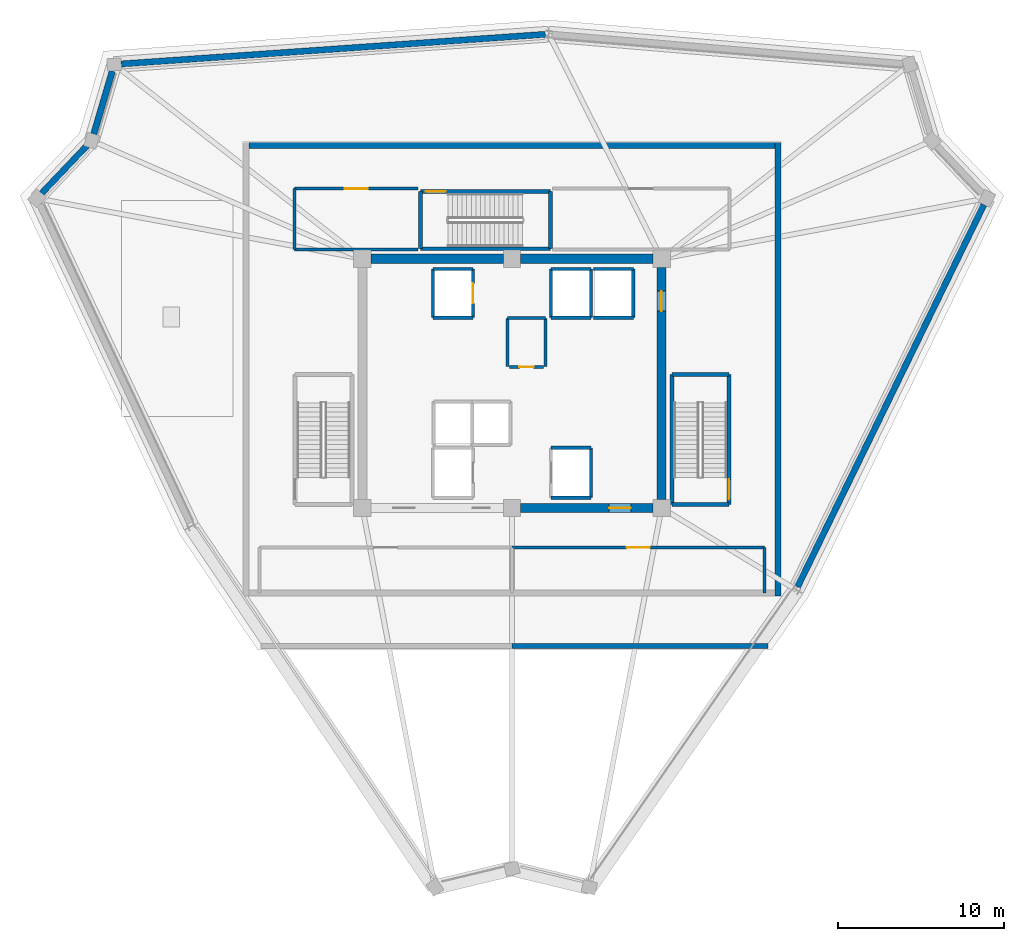
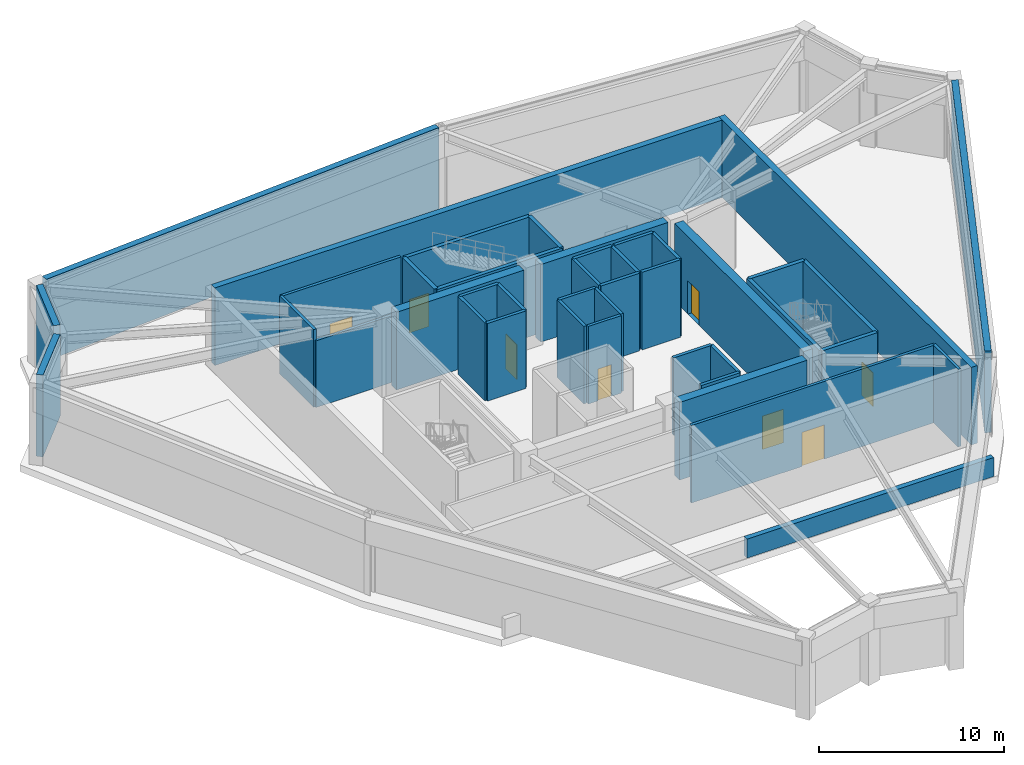
# One storey, part 5 of 8: 42 walls, 8 doors, 8 openings.
"""IFC4 building model written with IfcOpenShell, lengths in metres."""

from ifc_helpers import new_model, si_unit, direction, frame, frame_2d, origin, place, context, subcontext, project, spatial, rectangle, extrude, source, transform, mapped, material, layer, layer_set, type_object, element, fill, save


model = new_model("IFC4")

# Units and contexts
model_context = context("Model", 3, precision=1e-05, world=origin(), true_north=direction((0.0, 1.0)))
body_context = subcontext(model_context, "Body", "Model", "MODEL_VIEW")
ifc_project = project(units=[si_unit("LENGTHUNIT", "METRE"), si_unit("AREAUNIT", "SQUARE_METRE"), si_unit("VOLUMEUNIT", "CUBIC_METRE"), si_unit("PLANEANGLEUNIT", "RADIAN"), si_unit("MASSUNIT", "GRAM", prefix="KILO")], contexts=[model_context])

# Site, building, storey
site_placement = place(None, origin())
site = spatial("IfcSite", under=ifc_project, at=site_placement, CompositionType="ELEMENT")
building_placement = place(site_placement, origin())
building = spatial("IfcBuilding", under=site, at=building_placement, Name="Liaohun Quay Tower", CompositionType="ELEMENT")
storey_placement = place(building_placement, frame((0.0, 0.0, 360.60009765625)))
storey = spatial("IfcBuildingStorey", under=building, at=storey_placement, Name="L93", CompositionType="ELEMENT", Elevation=360.60009765625)

# Walls
ifc_material_1 = material(Name="Concrete C50", Category="concrete")
ifc_layer_1 = layer(ifc_material_1, 0.550048828125, Name="Concrete C50", Category="concrete")
ifc_layer_set_1 = layer_set([ifc_layer_1], Name="Concrete C50")
wall_type_1 = type_object("IfcWallType", Name="WAL-COR-Z4", PredefinedType="SHEAR", material=ifc_layer_set_1)
for number, where, z_axis, x_axis, name in (
    (1, (51.52490234375, 61.5, 0.0), (0.0, 0.0, 1.0), (1.0, 0.0, 0.0), "L93 Central Core Shear Wall N-W"),
    (2, (60.52490234375, 61.5, 0.0), (0.0, 0.0, 1.0), (1.0, 0.0, 0.0), "L93 Central Core Shear Wall N-E"),
):
    element("IfcWall", number, at=place(storey_placement, frame(where, z_axis=z_axis, x_axis=x_axis)), inside=storey, type_object=wall_type_1, Name=name, PredefinedType="SHEAR", context=body_context, shape_type="SweptSolid", body=[
        extrude(rectangle(XDim=7.9501953125, YDim=0.550048828125, at=frame_2d((3.97509765625, 0.0))), origin(), (0.0, 0.0, 1.0), 5.119873046875),
    ])

# Wall, opening, door
wall_1_placement = place(storey_placement, frame((69.0, 60.97509765625, 0.0), z_axis=(0.0, 0.0, 1.0), x_axis=(0.0, -1.0, 0.0)))
wall_1 = element("IfcWall", 3, at=wall_1_placement, inside=storey, type_object=wall_type_1, Name="L93 Central Core Shear Wall E", PredefinedType="SHEAR", context=body_context, shape_type="SweptSolid", body=[
    extrude(rectangle(XDim=13.9501953125, YDim=0.550048828125, at=frame_2d((6.97509765625, 0.0))), origin(), (0.0, 0.0, 1.0), 5.119873046875),
])
shared_shape_1 = source(origin(), body_context, "Body", "SweptSolid", [
    extrude(rectangle(XDim=1.199951171875, YDim=2.199951171875, at=frame_2d((0.60009765625, 1.10009765625))), frame((0.0, 0.284912109375, 0.0), z_axis=(0.0, -1.0, 0.0), x_axis=(1.0, 0.0, 0.0)), (0.0, 0.0, 1.0), 0.570068359375),
])
opening_1_placement = place(wall_1_placement, frame((1.425048828125, 0.0, 0.0)))
opening_1 = element("IfcOpeningElement", 4, at=opening_1_placement, cuts=wall_1, Name="Opening SD1", PredefinedType="OPENING", context=body_context, shape_type="MappedRepresentation", body=[
    mapped(shared_shape_1, transform((0.0, 0.0, 0.0), x_axis=(1.0, 0.0, 0.0), y_axis=(0.0, 1.0, 0.0), z_axis=(0.0, 0.0, 1.0), scale=1.0)),
])
ifc_material_2 = material(Name="Galvanised steel fire door", Category="steel")
door_type_1 = type_object("IfcDoorType", Name="DOR-STR-1200", OperationType="NOTDEFINED", PredefinedType="DOOR", material=ifc_material_2)
shared_shape_2 = source(origin(), body_context, "Body", "SweptSolid", [
    extrude(rectangle(XDim=1.199951171875, YDim=2.199951171875, at=frame_2d((0.60009765625, 1.10009765625))), frame((0.0, 0.02490234375, 0.0), z_axis=(0.0, -1.0, 0.0), x_axis=(1.0, 0.0, 0.0)), (0.0, 0.0, 1.0), 0.050048828125),
])
door_1_placement = place(opening_1_placement, origin())
door_1 = element("IfcDoor", 5, at=door_1_placement, inside=storey, type_object=door_type_1, Name="L93 North-East Core Lobby Smokeproof Door", OperationType="SINGLE_SWING_LEFT", OverallHeight=2.199951171875, OverallWidth=1.199951171875, PredefinedType="DOOR", context=body_context, shape_type="MappedRepresentation", body=[
    mapped(shared_shape_2, transform((0.0, 0.0, 0.0), x_axis=(1.0, 0.0, 0.0), y_axis=(0.0, 1.0, 0.0), z_axis=(0.0, 0.0, 1.0), scale=1.0)),
])
fill(opening_1, door_1)

wall_2_placement = place(storey_placement, frame((68.47509765625, 46.5, 0.0), z_axis=(0.0, 0.0, 1.0), x_axis=(-1.0, 0.0, 0.0)))
wall_2 = element("IfcWall", 6, at=wall_2_placement, inside=storey, type_object=wall_type_1, Name="L93 Central Core Shear Wall S-E", PredefinedType="SHEAR", context=body_context, shape_type="SweptSolid", body=[
    extrude(rectangle(XDim=7.9501953125, YDim=0.550048828125, at=frame_2d((3.97509765625, 0.0))), origin(), (0.0, 0.0, 1.0), 5.119873046875),
])
shared_shape_3 = source(origin(), body_context, "Body", "SweptSolid", [
    extrude(rectangle(XDim=1.300048828125, YDim=2.199951171875, at=frame_2d((0.64990234375, 1.10009765625))), frame((0.0, 0.284912109375, 0.0), z_axis=(0.0, -1.0, 0.0), x_axis=(1.0, 0.0, 0.0)), (0.0, 0.0, 1.0), 0.570068359375),
])
opening_2_placement = place(wall_2_placement, frame((1.324951171875, 0.0, 0.0)))
opening_2 = element("IfcOpeningElement", 7, at=opening_2_placement, cuts=wall_2, Name="Opening FD1", PredefinedType="OPENING", context=body_context, shape_type="MappedRepresentation", body=[
    mapped(shared_shape_3, transform((0.0, 0.0, 0.0), x_axis=(1.0, 0.0, 0.0), y_axis=(0.0, 1.0, 0.0), z_axis=(0.0, 0.0, 1.0), scale=1.0)),
])
ifc_material_3 = material(Name="Galvanised steel smokeproof fire door", Category="steel")
door_type_2 = type_object("IfcDoorType", Name="DOR-FFL-1300", OperationType="NOTDEFINED", PredefinedType="DOOR", material=ifc_material_3)
shared_shape_4 = source(origin(), body_context, "Body", "SweptSolid", [
    extrude(rectangle(XDim=1.300048828125, YDim=2.199951171875, at=frame_2d((0.64990234375, 1.10009765625))), frame((0.0, 0.02490234375, 0.0), z_axis=(0.0, -1.0, 0.0), x_axis=(1.0, 0.0, 0.0)), (0.0, 0.0, 1.0), 0.050048828125),
])
door_2_placement = place(opening_2_placement, origin())
door_2 = element("IfcDoor", 8, at=door_2_placement, inside=storey, type_object=door_type_2, Name="L93 East Core Lift Lobby Smokeproof Door", OperationType="SINGLE_SWING_LEFT", OverallHeight=2.199951171875, OverallWidth=1.300048828125, PredefinedType="DOOR", context=body_context, shape_type="MappedRepresentation", body=[
    mapped(shared_shape_4, transform((0.0, 0.0, 0.0), x_axis=(1.0, 0.0, 0.0), y_axis=(0.0, 1.0, 0.0), z_axis=(0.0, 0.0, 1.0), scale=1.0)),
])
fill(opening_2, door_2)

# Walls
ifc_material_4 = material(Name="Precast concrete C50 insulated sandwich", Category="concrete")
ifc_layer_2 = layer(ifc_material_4, 0.3798828125, Name="Precast concrete C50 insulated sandwich", Category="concrete")
ifc_layer_set_2 = layer_set([ifc_layer_2], Name="Precast concrete C50 insulated sandwich")
wall_type_2 = type_object("IfcWallType", Name="WAL-EXT-Z34", PredefinedType="SOLIDWALL", material=ifc_layer_set_2)
wall_3_placement = place(storey_placement, frame((77.18408203125, 41.764892578125, 0.0), z_axis=(0.0, 0.0, 1.0), x_axis=(0.438352950957, 0.898802920772, 0.0)))
element("IfcWall", 9, at=wall_3_placement, inside=storey, type_object=wall_type_2, Name="L93 Crown Precast Enclosure Wall 03", PredefinedType="SOLIDWALL", context=body_context, shape_type="SweptSolid", body=[
    extrude(rectangle(XDim=25.588623046875, YDim=0.3798828125, at=frame_2d((12.79443359375, 0.0))), origin(), (0.0, 0.0, 1.0), 5.39990234375),
])
wall_4_placement = place(storey_placement, frame((62.0029296875, 74.9990234375, 0.0), z_axis=(0.0, 0.0, 1.0), x_axis=(-0.997564135174, -0.069755259409, 0.0)))
element("IfcWall", 10, at=wall_4_placement, inside=storey, type_object=wall_type_2, Name="L93 Crown Precast Enclosure Wall 07", PredefinedType="SOLIDWALL", context=body_context, shape_type="SweptSolid", body=[
    extrude(rectangle(XDim=25.588134765625, YDim=0.3798828125, at=frame_2d((12.7939453125, 0.0))), origin(), (0.0, 0.0, 1.0), 5.39990234375),
])
wall_5_placement = place(storey_placement, frame((35.946044921875, 72.787109375, 0.0), z_axis=(0.0, 0.0, 1.0), x_axis=(-0.282751831767, -0.959193099241, 0.0)))
element("IfcWall", 11, at=wall_5_placement, inside=storey, type_object=wall_type_2, Name="L93 Crown Precast Enclosure Wall 08", PredefinedType="SOLIDWALL", context=body_context, shape_type="SweptSolid", body=[
    extrude(rectangle(XDim=3.9501953125, YDim=0.3798828125, at=frame_2d((1.97509765625, 0.0))), origin(), (0.0, 0.0, 1.0), 5.39990234375),
])
wall_6_placement = place(storey_placement, frame((34.426025390625, 68.299072265625, 0.0), z_axis=(0.0, 0.0, 1.0), x_axis=(-0.689436444491, -0.724346180364, 0.0)))
element("IfcWall", 12, at=wall_6_placement, inside=storey, type_object=wall_type_2, Name="L93 Crown Precast Enclosure Wall 09", PredefinedType="SOLIDWALL", context=body_context, shape_type="SweptSolid", body=[
    extrude(rectangle(XDim=3.958251953125, YDim=0.3798828125, at=frame_2d((1.97900390625, 0.0))), origin(), (0.0, 0.0, 1.0), 5.39990234375),
])
wall_7_placement = place(storey_placement, frame((44.179931640625, 68.31005859375, 0.0), z_axis=(0.0, 0.0, 1.0), x_axis=(1.0, 0.0, 0.0)))
element("IfcWall", 13, at=wall_7_placement, inside=storey, type_object=wall_type_2, Name="L93 Crown Mechanical House Wall N", PredefinedType="SOLIDWALL", context=body_context, shape_type="SweptSolid", body=[
    extrude(rectangle(XDim=31.64013671875, YDim=0.3798828125, at=frame_2d((15.820068359375, 0.0))), origin(), (0.0, 0.0, 1.0), 5.119873046875),
])
wall_8_placement = place(storey_placement, frame((76.010009765625, 68.5, 0.0), z_axis=(0.0, 0.0, 1.0), x_axis=(0.0, -1.0, 0.0)))
element("IfcWall", 14, at=wall_8_placement, inside=storey, type_object=wall_type_2, Name="L93 Crown Mechanical House Wall E", PredefinedType="SOLIDWALL", context=body_context, shape_type="SweptSolid", body=[
    extrude(rectangle(XDim=27.300048828125, YDim=0.3798828125, at=frame_2d((13.64990234375, 0.0))), origin(), (0.0, 0.0, 1.0), 5.119873046875),
])
ifc_material_5 = material(Name="Precast concrete C50", Category="concrete")
ifc_layer_3 = layer(ifc_material_5, 0.320068359375, Name="Precast concrete C50", Category="concrete")
ifc_layer_set_3 = layer_set([ifc_layer_3], Name="Precast concrete C50")
wall_type_3 = type_object("IfcWallType", Name="WAL-PAR-320", PredefinedType="PARAPET", material=ifc_layer_set_3)
wall_9_placement = place(storey_placement, frame((60.0, 38.199951171875, 0.0), z_axis=(0.0, 0.0, 1.0), x_axis=(1.0, 0.0, 0.0)))
element("IfcWall", 15, at=wall_9_placement, inside=storey, type_object=wall_type_3, Name="L93 Maintenance Roof Parapet Wall PW-1-02", PredefinedType="PARAPET", context=body_context, shape_type="SweptSolid", body=[
    extrude(rectangle(XDim=15.39990234375, YDim=0.320068359375, at=frame_2d((7.699951171875, 0.0))), origin(), (0.0, 0.0, 1.0), 1.25),
])

# Wall, opening, door
ifc_material_6 = material(Name="Autoclaved aerated concrete blockwork", Category="masonry")
ifc_layer_4 = layer(ifc_material_6, 0.179931640625, Name="Autoclaved aerated concrete blockwork", Category="masonry")
ifc_layer_set_4 = layer_set([ifc_layer_4], Name="Autoclaved aerated concrete blockwork")
wall_type_4 = type_object("IfcWallType", Name="WAL-PRT-COR", PredefinedType="PARTITIONING", material=ifc_layer_set_4)
wall_10_placement = place(storey_placement, frame((59.840087890625, 54.97998046875, 0.0), z_axis=(0.0, 0.0, 1.0), x_axis=(1.0, 0.0, 0.0)))
wall_10 = element("IfcWall", 16, at=wall_10_placement, inside=storey, type_object=wall_type_4, Name="L93 Interior Partition Wall 001", PredefinedType="PARTITIONING", context=body_context, shape_type="SweptSolid", body=[
    extrude(rectangle(XDim=2.059814453125, YDim=0.179931640625, at=frame_2d((1.02978515625, 0.0))), origin(), (0.0, 0.0, 1.0), 5.119873046875),
])
shared_shape_5 = source(origin(), body_context, "Body", "SweptSolid", [
    extrude(rectangle(XDim=0.85009765625, YDim=2.10009765625, at=frame_2d((0.425048828125, 1.050048828125))), frame((0.0, 0.099853515625, 0.0), z_axis=(0.0, -1.0, 0.0), x_axis=(1.0, 0.0, 0.0)), (0.0, 0.0, 1.0), 0.199951171875),
])
opening_3_placement = place(wall_10_placement, frame((0.60498046875, 0.0, 0.0)))
opening_3 = element("IfcOpeningElement", 17, at=opening_3_placement, cuts=wall_10, Name="Opening AD1", PredefinedType="OPENING", context=body_context, shape_type="MappedRepresentation", body=[
    mapped(shared_shape_5, transform((0.0, 0.0, 0.0), x_axis=(1.0, 0.0, 0.0), y_axis=(0.0, 1.0, 0.0), z_axis=(0.0, 0.0, 1.0), scale=1.0)),
])
ifc_material_7 = material(Name="Steel riser inspection fire door", Category="steel")
door_type_3 = type_object("IfcDoorType", Name="DOR-SHF-850", OperationType="NOTDEFINED", PredefinedType="DOOR", material=ifc_material_7)
shared_shape_6 = source(origin(), body_context, "Body", "SweptSolid", [
    extrude(rectangle(XDim=0.85009765625, YDim=2.10009765625, at=frame_2d((0.425048828125, 1.050048828125))), frame((0.0, 0.02490234375, 0.0), z_axis=(0.0, -1.0, 0.0), x_axis=(1.0, 0.0, 0.0)), (0.0, 0.0, 1.0), 0.050048828125),
])
door_3_placement = place(opening_3_placement, origin())
door_3 = element("IfcDoor", 18, at=door_3_placement, inside=storey, type_object=door_type_3, Name="L93 Core Electrical and Telecom Riser Room Door", OperationType="SINGLE_SWING_RIGHT", OverallHeight=2.10009765625, OverallWidth=0.85009765625, PredefinedType="DOOR", context=body_context, shape_type="MappedRepresentation", body=[
    mapped(shared_shape_6, transform((0.0, 0.0, 0.0), x_axis=(1.0, 0.0, 0.0), y_axis=(0.0, 1.0, 0.0), z_axis=(0.0, 0.0, 1.0), scale=1.0)),
])
fill(opening_3, door_3)

wall_11_placement = place(storey_placement, frame((60.0, 44.1201171875, 0.0), z_axis=(0.0, 0.0, 1.0), x_axis=(1.0, 0.0, 0.0)))
wall_11 = element("IfcWall", 19, at=wall_11_placement, inside=storey, type_object=wall_type_4, Name="L93 Interior Partition Wall 003", PredefinedType="PARTITIONING", context=body_context, shape_type="SweptSolid", body=[
    extrude(rectangle(XDim=15.199951171875, YDim=0.179931640625, at=frame_2d((7.60009765625, 0.0))), origin(), (0.0, 0.0, 1.0), 5.119873046875),
])
shared_shape_7 = source(origin(), body_context, "Body", "SweptSolid", [
    extrude(rectangle(XDim=1.39990234375, YDim=2.25, at=frame_2d((0.699951171875, 1.125))), frame((0.0, 0.099853515625, 0.0), z_axis=(0.0, -1.0, 0.0), x_axis=(1.0, 0.0, 0.0)), (0.0, 0.0, 1.0), 0.199951171875),
])
opening_4_placement = place(wall_11_placement, frame((6.89990234375, 0.0, 0.0)))
opening_4 = element("IfcOpeningElement", 20, at=opening_4_placement, cuts=wall_11, Name="Opening MD1", PredefinedType="OPENING", context=body_context, shape_type="MappedRepresentation", body=[
    mapped(shared_shape_7, transform((0.0, 0.0, 0.0), x_axis=(1.0, 0.0, 0.0), y_axis=(0.0, 1.0, 0.0), z_axis=(0.0, 0.0, 1.0), scale=1.0)),
])
ifc_material_8 = material(Name="Insulated steel plant room door", Category="steel")
door_type_4 = type_object("IfcDoorType", Name="DOR-MEP-1400", OperationType="DOUBLE_DOOR_SINGLE_SWING", PredefinedType="DOOR", material=ifc_material_8)
shared_shape_8 = source(origin(), body_context, "Body", "SweptSolid", [
    extrude(rectangle(XDim=1.39990234375, YDim=2.25, at=frame_2d((0.699951171875, 1.125))), frame((0.0, 0.02490234375, 0.0), z_axis=(0.0, -1.0, 0.0), x_axis=(1.0, 0.0, 0.0)), (0.0, 0.0, 1.0), 0.050048828125),
])
door_4_placement = place(opening_4_placement, origin())
door_4 = element("IfcDoor", 21, at=door_4_placement, inside=storey, type_object=door_type_4, Name="L93 Observation Supply Air Handling Plant Room Door", OperationType="DOUBLE_DOOR_SINGLE_SWING", OverallHeight=2.25, OverallWidth=1.39990234375, PredefinedType="DOOR", context=body_context, shape_type="MappedRepresentation", body=[
    mapped(shared_shape_8, transform((0.0, 0.0, 0.0), x_axis=(1.0, 0.0, 0.0), y_axis=(0.0, 1.0, 0.0), z_axis=(0.0, 0.0, 1.0), scale=1.0)),
])
fill(opening_4, door_4)

wall_12_placement = place(storey_placement, frame((46.919921875, 65.719970703125, 0.0), z_axis=(0.0, 0.0, 1.0), x_axis=(1.0, 0.0, 0.0)))
wall_12 = element("IfcWall", 22, at=wall_12_placement, inside=storey, type_object=wall_type_4, Name="L93 Interior Partition Wall 004", PredefinedType="PARTITIONING", context=body_context, shape_type="SweptSolid", body=[
    extrude(rectangle(XDim=7.43017578125, YDim=0.179931640625, at=frame_2d((3.715087890625, 0.0))), origin(), (0.0, 0.0, 1.0), 5.119873046875),
])
opening_5_placement = place(wall_12_placement, frame((3.014892578125, 0.0, 0.0)))
opening_5 = element("IfcOpeningElement", 23, at=opening_5_placement, cuts=wall_12, Name="Opening MD1", PredefinedType="OPENING", context=body_context, shape_type="MappedRepresentation", body=[
    mapped(shared_shape_7, transform((0.0, 0.0, 0.0), x_axis=(1.0, 0.0, 0.0), y_axis=(0.0, 1.0, 0.0), z_axis=(0.0, 0.0, 1.0), scale=1.0)),
])
door_5_placement = place(opening_5_placement, origin())
door_5 = element("IfcDoor", 24, at=door_5_placement, inside=storey, type_object=door_type_4, Name="L93 High-Zone Fire Booster Tank and Pump Room Door", OperationType="DOUBLE_DOOR_SINGLE_SWING", OverallHeight=2.25, OverallWidth=1.39990234375, PredefinedType="DOOR", context=body_context, shape_type="MappedRepresentation", body=[
    mapped(shared_shape_8, transform((0.0, 0.0, 0.0), x_axis=(1.0, 0.0, 0.0), y_axis=(0.0, 1.0, 0.0), z_axis=(0.0, 0.0, 1.0), scale=1.0)),
])
fill(opening_5, door_5)

# Walls
for number, where, z_axis, x_axis, name in (
    (25, (59.719970703125, 55.02001953125, 0.0), (0.0, 0.0, 1.0), (0.0, 1.0, 0.0), "L93 Interior Partition Wall 006"),
    (26, (62.010009765625, 55.02001953125, 0.0), (0.0, 0.0, 1.0), (0.0, 1.0, 0.0), "L93 Interior Partition Wall 007"),
):
    element("IfcWall", number, at=place(storey_placement, frame(where, z_axis=z_axis, x_axis=x_axis)), inside=storey, type_object=wall_type_4, Name=name, PredefinedType="PARTITIONING", context=body_context, shape_type="SweptSolid", body=[
        extrude(rectangle(XDim=2.8798828125, YDim=0.179931640625, at=frame_2d((1.43994140625, 0.0))), origin(), (0.0, 0.0, 1.0), 5.119873046875),
    ])
wall_13_placement = place(storey_placement, frame((59.719970703125, 57.919921875, 0.0), z_axis=(0.0, 0.0, 1.0), x_axis=(1.0, 0.0, 0.0)))
element("IfcWall", 27, at=wall_13_placement, inside=storey, type_object=wall_type_4, Name="L93 Interior Partition Wall 008", PredefinedType="PARTITIONING", context=body_context, shape_type="SweptSolid", body=[
    extrude(rectangle(XDim=2.2900390625, YDim=0.179931640625, at=frame_2d((1.14501953125, 0.0))), origin(), (0.0, 0.0, 1.0), 5.119873046875),
])
wall_14_placement = place(storey_placement, frame((46.919921875, 62.050048828125, 0.0), z_axis=(0.0, 0.0, 1.0), x_axis=(1.0, 0.0, 0.0)))
element("IfcWall", 28, at=wall_14_placement, inside=storey, type_object=wall_type_4, Name="L93 Interior Partition Wall 010", PredefinedType="PARTITIONING", context=body_context, shape_type="SweptSolid", body=[
    extrude(rectangle(XDim=7.43017578125, YDim=0.179931640625, at=frame_2d((3.715087890625, 0.0))), origin(), (0.0, 0.0, 1.0), 4.40478515625),
])
wall_15_placement = place(storey_placement, frame((75.199951171875, 41.39990234375, 0.0), z_axis=(0.0, 0.0, 1.0), x_axis=(0.0, 1.0, 0.0)))
element("IfcWall", 29, at=wall_15_placement, inside=storey, type_object=wall_type_4, Name="L93 Interior Partition Wall 013", PredefinedType="PARTITIONING", context=body_context, shape_type="SweptSolid", body=[
    extrude(rectangle(XDim=2.72021484375, YDim=0.179931640625, at=frame_2d((1.360107421875, 0.0))), origin(), (0.0, 0.0, 1.0), 5.119873046875),
])
wall_16_placement = place(storey_placement, frame((46.919921875, 62.050048828125, 0.0), z_axis=(0.0, 0.0, 1.0), x_axis=(0.0, 1.0, 0.0)))
element("IfcWall", 30, at=wall_16_placement, inside=storey, type_object=wall_type_4, Name="L93 Interior Partition Wall 014", PredefinedType="PARTITIONING", context=body_context, shape_type="SweptSolid", body=[
    extrude(rectangle(XDim=3.669921875, YDim=0.179931640625, at=frame_2d((1.8349609375, 0.0))), origin(), (0.0, 0.0, 1.0), 5.119873046875),
])
ifc_layer_5 = layer(ifc_material_1, 0.239990234375, Name="Concrete C50", Category="concrete")
ifc_layer_set_5 = layer_set([ifc_layer_5], Name="Concrete C50")
wall_type_5 = type_object("IfcWallType", Name="WAL-SHF-200", PredefinedType="SOLIDWALL", material=ifc_layer_set_5)
wall_17_placement = place(storey_placement, frame((69.6201171875, 46.699951171875, 0.0), z_axis=(0.0, 0.0, 1.0), x_axis=(1.0, 0.0, 0.0)))
element("IfcWall", 31, at=wall_17_placement, inside=storey, type_object=wall_type_5, Name="L93 Stairwell ST-2 Structural Core Wall S", PredefinedType="SOLIDWALL", context=body_context, shape_type="SweptSolid", body=[
    extrude(rectangle(XDim=3.43994140625, YDim=0.239990234375, at=frame_2d((1.719970703125, 0.0))), origin(), (0.0, 0.0, 1.0), 5.119873046875),
])

# Wall, opening, door
wall_18_placement = place(storey_placement, frame((73.06005859375, 46.699951171875, 0.0), z_axis=(0.0, 0.0, 1.0), x_axis=(0.0, 1.0, 0.0)))
wall_18 = element("IfcWall", 32, at=wall_18_placement, inside=storey, type_object=wall_type_5, Name="L93 Stairwell ST-2 Structural Core Wall E", PredefinedType="SOLIDWALL", context=body_context, shape_type="SweptSolid", body=[
    extrude(rectangle(XDim=7.820068359375, YDim=0.239990234375, at=frame_2d((3.91015625, 0.0))), origin(), (0.0, 0.0, 1.0), 5.119873046875),
])
shared_shape_9 = source(origin(), body_context, "Body", "SweptSolid", [
    extrude(rectangle(XDim=1.199951171875, YDim=2.199951171875, at=frame_2d((0.60009765625, 1.10009765625))), frame((0.0, 0.1298828125, 0.0), z_axis=(0.0, -1.0, 0.0), x_axis=(1.0, 0.0, 0.0)), (0.0, 0.0, 1.0), 0.260009765625),
])
opening_6_placement = place(wall_18_placement, frame((0.320068359375, 0.0, 0.0)))
opening_6 = element("IfcOpeningElement", 33, at=opening_6_placement, cuts=wall_18, Name="Opening SD1", PredefinedType="OPENING", context=body_context, shape_type="MappedRepresentation", body=[
    mapped(shared_shape_9, transform((0.0, 0.0, 0.0), x_axis=(1.0, 0.0, 0.0), y_axis=(0.0, 1.0, 0.0), z_axis=(0.0, 0.0, 1.0), scale=1.0)),
])
door_6_placement = place(opening_6_placement, origin())
door_6 = element("IfcDoor", 34, at=door_6_placement, inside=storey, type_object=door_type_1, Name="L93 Protected Stair ST-2 Fire Door", OperationType="SINGLE_SWING_RIGHT", OverallHeight=2.199951171875, OverallWidth=1.199951171875, PredefinedType="DOOR", context=body_context, shape_type="MappedRepresentation", body=[
    mapped(shared_shape_2, transform((0.0, 0.0, 0.0), x_axis=(1.0, 0.0, 0.0), y_axis=(0.0, 1.0, 0.0), z_axis=(0.0, 0.0, 1.0), scale=1.0)),
])
fill(opening_6, door_6)

# Walls
wall_19_placement = place(storey_placement, frame((73.06005859375, 54.52001953125, 0.0), z_axis=(0.0, 0.0, 1.0), x_axis=(-1.0, 0.0, 0.0)))
element("IfcWall", 35, at=wall_19_placement, inside=storey, type_object=wall_type_5, Name="L93 Stairwell ST-2 Structural Core Wall N", PredefinedType="SOLIDWALL", context=body_context, shape_type="SweptSolid", body=[
    extrude(rectangle(XDim=3.43994140625, YDim=0.239990234375, at=frame_2d((1.719970703125, 0.0))), origin(), (0.0, 0.0, 1.0), 5.119873046875),
])
for number, where, z_axis, x_axis, name in (
    (36, (69.6201171875, 54.52001953125, 0.0), (0.0, 0.0, 1.0), (0.0, -1.0, 0.0), "L93 Stairwell ST-2 Structural Core Wall W"),
    (37, (54.5, 62.10009765625, 0.0), (0.0, 0.0, 1.0), (1.0, 0.0, 0.0), "L93 Stairwell ST-3 Structural Core Wall S"),
):
    element("IfcWall", number, at=place(storey_placement, frame(where, z_axis=z_axis, x_axis=x_axis)), inside=storey, type_object=wall_type_5, Name=name, PredefinedType="SOLIDWALL", context=body_context, shape_type="SweptSolid", body=[
        extrude(rectangle(XDim=7.820068359375, YDim=0.239990234375, at=frame_2d((3.91015625, 0.0))), origin(), (0.0, 0.0, 1.0), 5.119873046875),
    ])
wall_20_placement = place(storey_placement, frame((62.320068359375, 62.10009765625, 0.0), z_axis=(0.0, 0.0, 1.0), x_axis=(0.0, 1.0, 0.0)))
element("IfcWall", 38, at=wall_20_placement, inside=storey, type_object=wall_type_5, Name="L93 Stairwell ST-3 Structural Core Wall E", PredefinedType="SOLIDWALL", context=body_context, shape_type="SweptSolid", body=[
    extrude(rectangle(XDim=3.43994140625, YDim=0.239990234375, at=frame_2d((1.719970703125, 0.0))), origin(), (0.0, 0.0, 1.0), 5.119873046875),
])

# Wall, opening, door
wall_21_placement = place(storey_placement, frame((62.320068359375, 65.5400390625, 0.0), z_axis=(0.0, 0.0, 1.0), x_axis=(-1.0, 0.0, 0.0)))
wall_21 = element("IfcWall", 39, at=wall_21_placement, inside=storey, type_object=wall_type_5, Name="L93 Stairwell ST-3 Structural Core Wall N", PredefinedType="SOLIDWALL", context=body_context, shape_type="SweptSolid", body=[
    extrude(rectangle(XDim=7.820068359375, YDim=0.239990234375, at=frame_2d((3.91015625, 0.0))), origin(), (0.0, 0.0, 1.0), 5.119873046875),
])
opening_7_placement = place(wall_21_placement, frame((6.300048828125, 0.0, 0.0)))
opening_7 = element("IfcOpeningElement", 40, at=opening_7_placement, cuts=wall_21, Name="Opening SD1", PredefinedType="OPENING", context=body_context, shape_type="MappedRepresentation", body=[
    mapped(shared_shape_9, transform((0.0, 0.0, 0.0), x_axis=(1.0, 0.0, 0.0), y_axis=(0.0, 1.0, 0.0), z_axis=(0.0, 0.0, 1.0), scale=1.0)),
])
door_7_placement = place(opening_7_placement, origin())
door_7 = element("IfcDoor", 41, at=door_7_placement, inside=storey, type_object=door_type_1, Name="L93 Protected Stair ST-3 Fire Door", OperationType="SINGLE_SWING_RIGHT", OverallHeight=2.199951171875, OverallWidth=1.199951171875, PredefinedType="DOOR", context=body_context, shape_type="MappedRepresentation", body=[
    mapped(shared_shape_2, transform((0.0, 0.0, 0.0), x_axis=(1.0, 0.0, 0.0), y_axis=(0.0, 1.0, 0.0), z_axis=(0.0, 0.0, 1.0), scale=1.0)),
])
fill(opening_7, door_7)

# Walls
wall_22_placement = place(storey_placement, frame((54.5, 65.5400390625, 0.0), z_axis=(0.0, 0.0, 1.0), x_axis=(0.0, -1.0, 0.0)))
element("IfcWall", 42, at=wall_22_placement, inside=storey, type_object=wall_type_5, Name="L93 Stairwell ST-3 Structural Core Wall W", PredefinedType="SOLIDWALL", context=body_context, shape_type="SweptSolid", body=[
    extrude(rectangle(XDim=3.43994140625, YDim=0.239990234375, at=frame_2d((1.719970703125, 0.0))), origin(), (0.0, 0.0, 1.0), 5.119873046875),
])
wall_23_placement = place(storey_placement, frame((62.35009765625, 47.1201171875, 0.0), z_axis=(0.0, 0.0, 1.0), x_axis=(1.0, 0.0, 0.0)))
element("IfcWall", 43, at=wall_23_placement, inside=storey, type_object=wall_type_5, Name="L93 Lift FF-02 Hoistway Wall S", PredefinedType="SOLIDWALL", context=body_context, shape_type="SweptSolid", body=[
    extrude(rectangle(XDim=2.39990234375, YDim=0.199951171875, at=frame_2d((1.199951171875, 0.0))), origin(), (0.0, 0.0, 1.0), 5.119873046875),
])
wall_24_placement = place(storey_placement, frame((64.75, 47.1201171875, 0.0), z_axis=(0.0, 0.0, 1.0), x_axis=(0.0, 1.0, 0.0)))
element("IfcWall", 44, at=wall_24_placement, inside=storey, type_object=wall_type_5, Name="L93 Lift FF-02 Hoistway Wall E", PredefinedType="SOLIDWALL", context=body_context, shape_type="SweptSolid", body=[
    extrude(rectangle(XDim=3.0, YDim=0.199951171875, at=frame_2d((1.5, 0.0))), origin(), (0.0, 0.0, 1.0), 5.119873046875),
])
for number, where, z_axis, x_axis, name in (
    (45, (64.75, 50.1201171875, 0.0), (0.0, 0.0, 1.0), (-1.0, 0.0, 0.0), "L93 Lift FF-02 Hoistway Wall N"),
    (46, (55.25, 57.949951171875, 0.0), (0.0, 0.0, 1.0), (1.0, 0.0, 0.0), "L93 Lift FF-03 Hoistway Wall S"),
):
    element("IfcWall", number, at=place(storey_placement, frame(where, z_axis=z_axis, x_axis=x_axis)), inside=storey, type_object=wall_type_5, Name=name, PredefinedType="SOLIDWALL", context=body_context, shape_type="SweptSolid", body=[
        extrude(rectangle(XDim=2.39990234375, YDim=0.199951171875, at=frame_2d((1.199951171875, 0.0))), origin(), (0.0, 0.0, 1.0), 5.119873046875),
    ])

# Wall, opening, door
wall_25_placement = place(storey_placement, frame((57.64990234375, 57.949951171875, 0.0), z_axis=(0.0, 0.0, 1.0), x_axis=(0.0, 1.0, 0.0)))
wall_25 = element("IfcWall", 47, at=wall_25_placement, inside=storey, type_object=wall_type_5, Name="L93 Lift FF-03 Hoistway Wall E", PredefinedType="SOLIDWALL", context=body_context, shape_type="SweptSolid", body=[
    extrude(rectangle(XDim=2.929931640625, YDim=0.199951171875, at=frame_2d((1.46484375, 0.0))), origin(), (0.0, 0.0, 1.0), 5.119873046875),
])
shared_shape_10 = source(origin(), body_context, "Body", "SweptSolid", [
    extrude(rectangle(XDim=1.199951171875, YDim=2.300048828125, at=frame_2d((0.60009765625, 1.14990234375))), frame((0.0, 0.10986328125, 0.0), z_axis=(0.0, -1.0, 0.0), x_axis=(1.0, 0.0, 0.0)), (0.0, 0.0, 1.0), 0.219970703125),
])
opening_8_placement = place(wall_25_placement, frame((0.864990234375, 0.0, 0.0)))
opening_8 = element("IfcOpeningElement", 48, at=opening_8_placement, cuts=wall_25, Name="Opening LD2", PredefinedType="OPENING", context=body_context, shape_type="MappedRepresentation", body=[
    mapped(shared_shape_10, transform((0.0, 0.0, 0.0), x_axis=(1.0, 0.0, 0.0), y_axis=(0.0, 1.0, 0.0), z_axis=(0.0, 0.0, 1.0), scale=1.0)),
])
ifc_material_9 = material(Name="Brushed stainless steel stretcher landing door", Category="steel")
door_type_5 = type_object("IfcDoorType", Name="DOR-LFT-1200", OperationType="SLIDING_TO_LEFT", PredefinedType="DOOR", material=ifc_material_9)
shared_shape_11 = source(origin(), body_context, "Body", "SweptSolid", [
    extrude(rectangle(XDim=1.199951171875, YDim=2.300048828125, at=frame_2d((0.60009765625, 1.14990234375))), frame((0.0, 0.02490234375, 0.0), z_axis=(0.0, -1.0, 0.0), x_axis=(1.0, 0.0, 0.0)), (0.0, 0.0, 1.0), 0.050048828125),
])
door_8_placement = place(opening_8_placement, origin())
door_8 = element("IfcDoor", 49, at=door_8_placement, inside=storey, type_object=door_type_5, Name="L93 Lift FF-03 Sliding Landing Door", OperationType="SLIDING_TO_LEFT", OverallHeight=2.300048828125, OverallWidth=1.199951171875, PredefinedType="DOOR", context=body_context, shape_type="MappedRepresentation", body=[
    mapped(shared_shape_11, transform((0.0, 0.0, 0.0), x_axis=(1.0, 0.0, 0.0), y_axis=(0.0, 1.0, 0.0), z_axis=(0.0, 0.0, 1.0), scale=1.0)),
])
fill(opening_8, door_8)

# Walls
wall_26_placement = place(storey_placement, frame((57.64990234375, 60.8798828125, 0.0), z_axis=(0.0, 0.0, 1.0), x_axis=(-1.0, 0.0, 0.0)))
element("IfcWall", 50, at=wall_26_placement, inside=storey, type_object=wall_type_5, Name="L93 Lift FF-03 Hoistway Wall N", PredefinedType="SOLIDWALL", context=body_context, shape_type="SweptSolid", body=[
    extrude(rectangle(XDim=2.39990234375, YDim=0.199951171875, at=frame_2d((1.199951171875, 0.0))), origin(), (0.0, 0.0, 1.0), 5.119873046875),
])
wall_27_placement = place(storey_placement, frame((55.25, 60.8798828125, 0.0), z_axis=(0.0, 0.0, 1.0), x_axis=(0.0, -1.0, 0.0)))
element("IfcWall", 51, at=wall_27_placement, inside=storey, type_object=wall_type_5, Name="L93 Lift FF-03 Hoistway Wall W", PredefinedType="SOLIDWALL", context=body_context, shape_type="SweptSolid", body=[
    extrude(rectangle(XDim=2.929931640625, YDim=0.199951171875, at=frame_2d((1.46484375, 0.0))), origin(), (0.0, 0.0, 1.0), 5.119873046875),
])
wall_28_placement = place(storey_placement, frame((62.35009765625, 57.949951171875, 0.0), z_axis=(0.0, 0.0, 1.0), x_axis=(1.0, 0.0, 0.0)))
element("IfcWall", 52, at=wall_28_placement, inside=storey, type_object=wall_type_5, Name="L93 Lift OB-01 Hoistway Wall S", PredefinedType="SOLIDWALL", context=body_context, shape_type="SweptSolid", body=[
    extrude(rectangle(XDim=2.39990234375, YDim=0.199951171875, at=frame_2d((1.199951171875, 0.0))), origin(), (0.0, 0.0, 1.0), 5.119873046875),
])
wall_29_placement = place(storey_placement, frame((64.75, 57.949951171875, 0.0), z_axis=(0.0, 0.0, 1.0), x_axis=(0.0, 1.0, 0.0)))
element("IfcWall", 53, at=wall_29_placement, inside=storey, type_object=wall_type_5, Name="L93 Lift OB-01 Hoistway Wall E", PredefinedType="SOLIDWALL", context=body_context, shape_type="SweptSolid", body=[
    extrude(rectangle(XDim=2.929931640625, YDim=0.199951171875, at=frame_2d((1.46484375, 0.0))), origin(), (0.0, 0.0, 1.0), 5.119873046875),
])
wall_30_placement = place(storey_placement, frame((64.75, 60.8798828125, 0.0), z_axis=(0.0, 0.0, 1.0), x_axis=(-1.0, 0.0, 0.0)))
element("IfcWall", 54, at=wall_30_placement, inside=storey, type_object=wall_type_5, Name="L93 Lift OB-01 Hoistway Wall N", PredefinedType="SOLIDWALL", context=body_context, shape_type="SweptSolid", body=[
    extrude(rectangle(XDim=2.39990234375, YDim=0.199951171875, at=frame_2d((1.199951171875, 0.0))), origin(), (0.0, 0.0, 1.0), 5.119873046875),
])
wall_31_placement = place(storey_placement, frame((62.35009765625, 60.8798828125, 0.0), z_axis=(0.0, 0.0, 1.0), x_axis=(0.0, -1.0, 0.0)))
element("IfcWall", 55, at=wall_31_placement, inside=storey, type_object=wall_type_5, Name="L93 Lift OB-01 Hoistway Wall W", PredefinedType="SOLIDWALL", context=body_context, shape_type="SweptSolid", body=[
    extrude(rectangle(XDim=2.929931640625, YDim=0.199951171875, at=frame_2d((1.46484375, 0.0))), origin(), (0.0, 0.0, 1.0), 5.119873046875),
])
wall_32_placement = place(storey_placement, frame((64.89990234375, 57.949951171875, 0.0), z_axis=(0.0, 0.0, 1.0), x_axis=(1.0, 0.0, 0.0)))
element("IfcWall", 56, at=wall_32_placement, inside=storey, type_object=wall_type_5, Name="L93 Lift OB-02 Hoistway Wall S", PredefinedType="SOLIDWALL", context=body_context, shape_type="SweptSolid", body=[
    extrude(rectangle(XDim=2.400146484375, YDim=0.199951171875, at=frame_2d((1.2001953125, 0.0))), origin(), (0.0, 0.0, 1.0), 5.119873046875),
])
wall_33_placement = place(storey_placement, frame((67.300048828125, 57.949951171875, 0.0), z_axis=(0.0, 0.0, 1.0), x_axis=(0.0, 1.0, 0.0)))
element("IfcWall", 57, at=wall_33_placement, inside=storey, type_object=wall_type_5, Name="L93 Lift OB-02 Hoistway Wall E", PredefinedType="SOLIDWALL", context=body_context, shape_type="SweptSolid", body=[
    extrude(rectangle(XDim=2.929931640625, YDim=0.199951171875, at=frame_2d((1.46484375, 0.0))), origin(), (0.0, 0.0, 1.0), 5.119873046875),
])
wall_34_placement = place(storey_placement, frame((67.300048828125, 60.8798828125, 0.0), z_axis=(0.0, 0.0, 1.0), x_axis=(-1.0, 0.0, 0.0)))
element("IfcWall", 58, at=wall_34_placement, inside=storey, type_object=wall_type_5, Name="L93 Lift OB-02 Hoistway Wall N", PredefinedType="SOLIDWALL", context=body_context, shape_type="SweptSolid", body=[
    extrude(rectangle(XDim=2.400146484375, YDim=0.199951171875, at=frame_2d((1.2001953125, 0.0))), origin(), (0.0, 0.0, 1.0), 5.119873046875),
])

save(model, "model.ifc")
